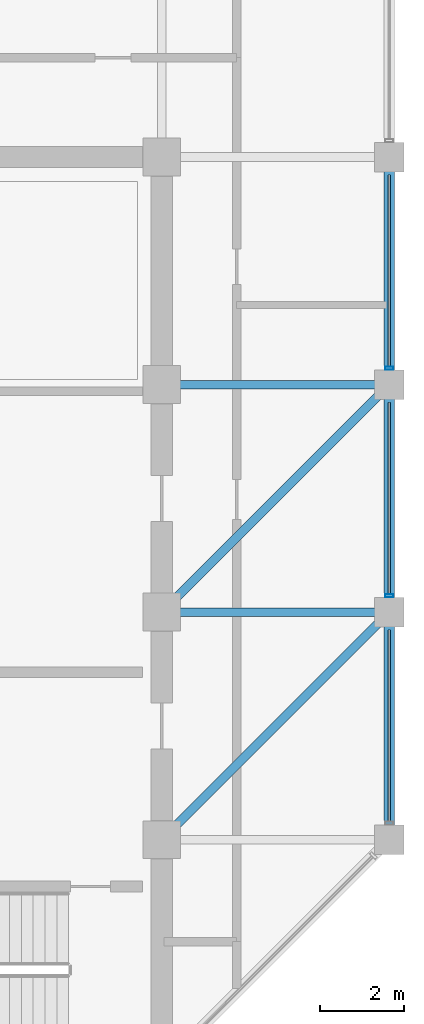
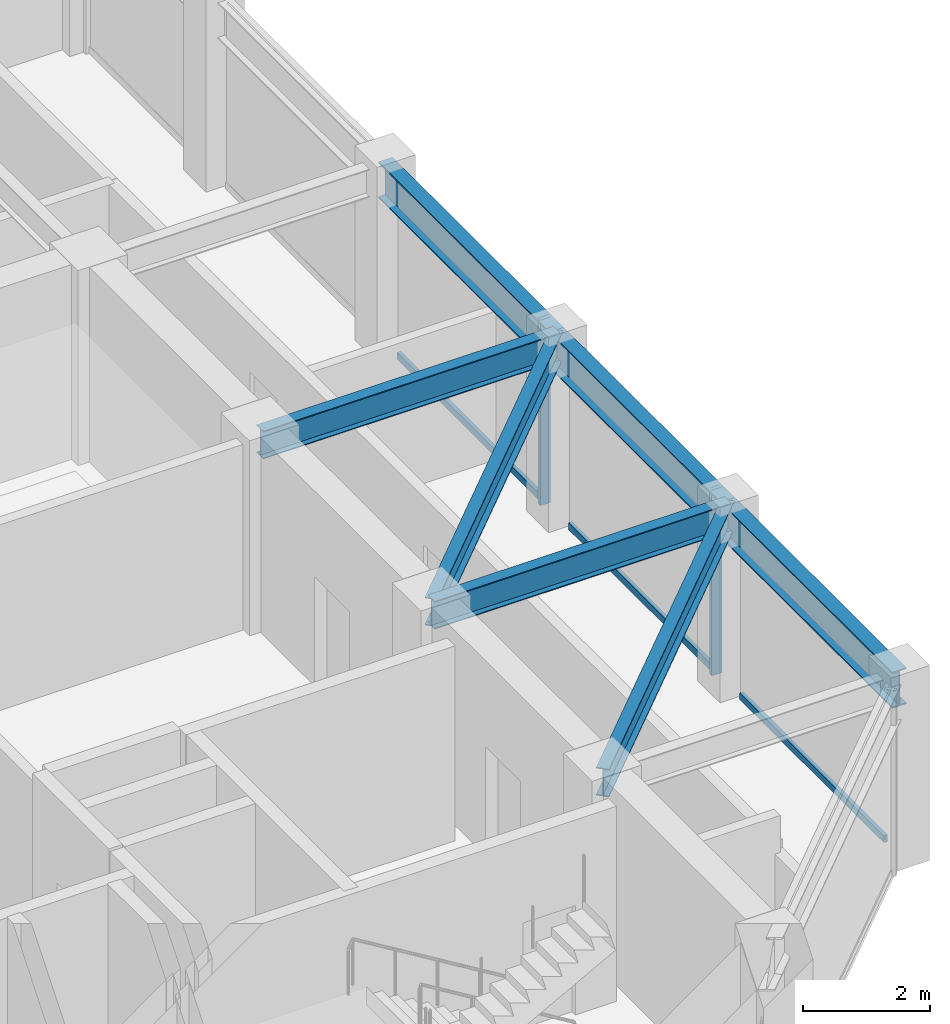
# One storey, part 13 of 30: 7 beams, 5 members, 1 element without a shape of its own.
"""IFC4 building model written with IfcOpenShell, lengths in metres."""

from ifc_helpers import new_model, si_unit, direction, frame, origin, origin_2d, place, context, subcontext, project, spatial, hollow_rectangle, i_section, extrude, material, layer, layer_set, material_profile, profile_set, type_object, element, aggregate, save


model = new_model("IFC4")

# Units and contexts
model_context = context("Model", 3, precision=1e-05, world=origin(), true_north=direction((0.0, 1.0)))
body_context = subcontext(model_context, "Body", "Model", "MODEL_VIEW")
ifc_project = project(units=[si_unit("LENGTHUNIT", "METRE"), si_unit("AREAUNIT", "SQUARE_METRE"), si_unit("VOLUMEUNIT", "CUBIC_METRE"), si_unit("PLANEANGLEUNIT", "RADIAN"), si_unit("MASSUNIT", "GRAM", prefix="KILO")], contexts=[model_context])

# Site, building, storey
site_placement = place(None, origin())
site = spatial("IfcSite", under=ifc_project, at=site_placement, CompositionType="ELEMENT")
building_placement = place(site_placement, origin())
building = spatial("IfcBuilding", under=site, at=building_placement, Name="Surkhivell Harbour Commons", CompositionType="ELEMENT")
storey_placement = place(building_placement, frame((0.0, 0.0, 300.0)))
storey = spatial("IfcBuildingStorey", under=building, at=storey_placement, Name="L78", CompositionType="ELEMENT", Elevation=300.0)

# Beams
ifc_material_1 = material(Name="Steel S355", Category="steel")
ifc_material_profile_1 = material_profile(ifc_material_1, i_section(OverallWidth=0.2099609375, OverallDepth=0.537109375, WebThickness=0.0107421875, FlangeThickness=0.017333984375, at=origin_2d()), Name="UB533x210x101")
ifc_profile_set_1 = profile_set([ifc_material_profile_1], Name="Steel S355")
beam_type_1 = type_object("IfcBeamType", Name="BM-GRD-533B", PredefinedType="BEAM", material=ifc_profile_set_1)
beam_1_placement = place(storey_placement, frame((10.800048828125, -5.39990234375, 3.301513671875), z_axis=(0.707106781187, 0.707106781187, 0.0), x_axis=(-0.707106781187, 0.707106781187, 0.0)))
element("IfcBeam", 1, at=beam_1_placement, inside=storey, type_object=beam_type_1, Name="L78 Floor Girder (10.8,-5.4)", PredefinedType="BEAM", context=body_context, shape_type="SweptSolid", body=[
    extrude(i_section(OverallWidth=0.2099609375, OverallDepth=0.537109375, WebThickness=0.0107421875, FlangeThickness=0.017333984375, at=origin_2d()), origin(), (0.0, 0.0, 1.0), 7.63671875),
])
beam_2_placement = place(storey_placement, frame((10.800048828125, 0.0, 3.301513671875), z_axis=(1.0, 0.0, 0.0), x_axis=(0.0, 1.0, 0.0)))
element("IfcBeam", 2, at=beam_2_placement, inside=storey, type_object=beam_type_1, Name="L78 Floor Girder (10.8,0.0)", PredefinedType="BEAM", context=body_context, shape_type="SweptSolid", body=[
    extrude(i_section(OverallWidth=0.2099609375, OverallDepth=0.537109375, WebThickness=0.0107421875, FlangeThickness=0.017333984375, at=origin_2d()), origin(), (0.0, 0.0, 1.0), 5.39990234375),
])
beam_3_placement = place(storey_placement, frame((10.800048828125, 0.0, 3.301513671875), z_axis=(0.707106781187, 0.707106781187, 0.0), x_axis=(-0.707106781187, 0.707106781187, 0.0)))
element("IfcBeam", 3, at=beam_3_placement, inside=storey, type_object=beam_type_1, Name="L78 Floor Girder (10.8,0.0)", PredefinedType="BEAM", context=body_context, shape_type="SweptSolid", body=[
    extrude(i_section(OverallWidth=0.2099609375, OverallDepth=0.537109375, WebThickness=0.0107421875, FlangeThickness=0.017333984375, at=origin_2d()), origin(), (0.0, 0.0, 1.0), 7.63671875),
])
beam_4_placement = place(storey_placement, frame((10.800048828125, 5.39990234375, 3.301513671875), z_axis=(1.0, 0.0, 0.0), x_axis=(0.0, 1.0, 0.0)))
element("IfcBeam", 4, at=beam_4_placement, inside=storey, type_object=beam_type_1, Name="L78 Floor Girder (10.8,5.4)", PredefinedType="BEAM", context=body_context, shape_type="SweptSolid", body=[
    extrude(i_section(OverallWidth=0.2099609375, OverallDepth=0.537109375, WebThickness=0.0107421875, FlangeThickness=0.017333984375, at=origin_2d()), origin(), (0.0, 0.0, 1.0), 5.39990234375),
])
ifc_material_profile_2 = material_profile(ifc_material_1, i_section(OverallWidth=0.256103515625, OverallDepth=0.693115234375, WebThickness=0.014404296875, FlangeThickness=0.023681640625, at=origin_2d()), Name="UB686x254x170")
ifc_profile_set_2 = profile_set([ifc_material_profile_2], Name="Steel S355")
beam_type_2 = type_object("IfcBeamType", Name="BM-SPN-686", PredefinedType="SPANDREL", material=ifc_profile_set_2)
for number, where, z_axis, x_axis, name in (
    (5, (16.199951171875, -5.39990234375, 3.223388671875), (0.0, 1.0, 0.0), (-1.0, 0.0, 0.0), "L78 Tube Spandrel (16.2,-5.4)"),
    (6, (16.199951171875, 0.0, 3.223388671875), (0.0, 1.0, 0.0), (-1.0, 0.0, 0.0), "L78 Tube Spandrel (16.2,0.0)"),
):
    element("IfcBeam", number, at=place(storey_placement, frame(where, z_axis=z_axis, x_axis=x_axis)), inside=storey, type_object=beam_type_2, Name=name, PredefinedType="SPANDREL", context=body_context, shape_type="SweptSolid", body=[
        extrude(i_section(OverallWidth=0.256103515625, OverallDepth=0.693115234375, WebThickness=0.014404296875, FlangeThickness=0.023681640625, at=origin_2d()), origin(), (0.0, 0.0, 1.0), 5.39990234375),
    ])
beam_5_placement = place(storey_placement, frame((16.199951171875, 5.39990234375, 3.223388671875), z_axis=(0.0, 1.0, 0.0), x_axis=(-1.0, 0.0, 0.0)))
element("IfcBeam", 7, at=beam_5_placement, inside=storey, type_object=beam_type_2, Name="L78 Tube Spandrel (16.2,5.4)", PredefinedType="SPANDREL", context=body_context, shape_type="SweptSolid", body=[
    extrude(i_section(OverallWidth=0.256103515625, OverallDepth=0.693115234375, WebThickness=0.014404296875, FlangeThickness=0.023681640625, at=origin_2d()), origin(), (0.0, 0.0, 1.0), 5.400146484375),
])

# Curtain wall, members
ifc_material_2 = material(Name="Anodised pale-metal aluminium and insulated glazing", Category="aluminium")
ifc_layer = layer(ifc_material_2, 0.175048828125)
ifc_layer_set = layer_set([ifc_layer], Name="Anodised pale-metal aluminium and insulated glazing")
curtain_wall_type = type_object("IfcCurtainWallType", Name="CW-SYS-Z4", PredefinedType="NOTDEFINED", material=ifc_layer_set)
curtain_wall_placement = place(storey_placement, origin())
curtain_wall = element("IfcCurtainWall", 8, at=curtain_wall_placement, inside=storey, type_object=curtain_wall_type, Name="L78 Curtain Wall CW-L78-E02", PredefinedType="NOTDEFINED")
ifc_material_3 = material(Name="Anodised pale-metal aluminium alloy 6063-T6", Category="aluminium")
ifc_material_profile_3 = material_profile(ifc_material_3, hollow_rectangle(XDim=0.074951171875, YDim=0.18994140625, WallThickness=0.00390625, at=origin_2d()), Name="ALU-MULL-75x190")
ifc_profile_set_3 = profile_set([ifc_material_profile_3], Name="Anodised pale-metal aluminium alloy 6063-T6")
member_type_1 = type_object("IfcMemberType", Name="CWM-190", PredefinedType="MULLION", material=ifc_profile_set_3)
member_1_placement = place(storey_placement, frame((16.199951171875, 0.389404296875, 0.0), z_axis=(0.0, 0.0, 1.0), x_axis=(0.0, 1.0, 0.0)))
member_1 = element("IfcMember", 9, at=member_1_placement, type_object=member_type_1, Name="CW-Z4 mullion 2", PredefinedType="MULLION", context=body_context, shape_type="SweptSolid", body=[
    extrude(hollow_rectangle(XDim=0.074951171875, YDim=0.18994140625, WallThickness=0.00390625, at=origin_2d()), origin(), (0.0, 0.0, 1.0), 3.570068359375),
])
member_2_placement = place(storey_placement, frame((16.199951171875, 5.78955078125, 0.0), z_axis=(0.0, 0.0, 1.0), x_axis=(0.0, 1.0, 0.0)))
member_2 = element("IfcMember", 10, at=member_2_placement, type_object=member_type_1, Name="CW-Z4 mullion 3", PredefinedType="MULLION", context=body_context, shape_type="SweptSolid", body=[
    extrude(hollow_rectangle(XDim=0.074951171875, YDim=0.18994140625, WallThickness=0.00390625, at=origin_2d()), origin(), (0.0, 0.0, 1.0), 3.570068359375),
])
ifc_material_4 = material(Name="Champagne anodised aluminium alloy 6063-T6", Category="aluminium")
ifc_material_profile_4 = material_profile(ifc_material_4, hollow_rectangle(XDim=0.070068359375, YDim=0.1298828125, WallThickness=0.00341796875, at=origin_2d()), Name="ALU-TRAN-70x130")
ifc_profile_set_4 = profile_set([ifc_material_profile_4], Name="Champagne anodised aluminium alloy 6063-T6")
member_type_2 = type_object("IfcMemberType", Name="CWT-130", PredefinedType="USERDEFINED", material=ifc_profile_set_4)
member_3_placement = place(storey_placement, frame((16.199951171875, -4.972900390625, 0.06494140625), z_axis=(0.0, 1.0, 0.0), x_axis=(-1.0, 0.0, 0.0)))
member_3 = element("IfcMember", 11, at=member_3_placement, type_object=member_type_2, Name="CW-Z4 transom 1.1", ObjectType="TRANSOM", PredefinedType="USERDEFINED", context=body_context, shape_type="SweptSolid", body=[
    extrude(hollow_rectangle(XDim=0.070068359375, YDim=0.1298828125, WallThickness=0.00341796875, at=origin_2d()), origin(), (0.0, 0.0, 1.0), 4.5458984375),
])
member_4_placement = place(storey_placement, frame((16.199951171875, 0.427001953125, 0.06494140625), z_axis=(0.0, 1.0, 0.0), x_axis=(-1.0, 0.0, 0.0)))
member_4 = element("IfcMember", 12, at=member_4_placement, type_object=member_type_2, Name="CW-Z4 transom 2.1", ObjectType="TRANSOM", PredefinedType="USERDEFINED", context=body_context, shape_type="SweptSolid", body=[
    extrude(hollow_rectangle(XDim=0.070068359375, YDim=0.1298828125, WallThickness=0.00341796875, at=origin_2d()), origin(), (0.0, 0.0, 1.0), 4.5458984375),
])
member_5_placement = place(storey_placement, frame((16.199951171875, 5.826904296875, 0.06494140625), z_axis=(0.0, 1.0, 0.0), x_axis=(-1.0, 0.0, 0.0)))
member_5 = element("IfcMember", 13, at=member_5_placement, type_object=member_type_2, Name="CW-Z4 transom 3.1", ObjectType="TRANSOM", PredefinedType="USERDEFINED", context=body_context, shape_type="SweptSolid", body=[
    extrude(hollow_rectangle(XDim=0.070068359375, YDim=0.1298828125, WallThickness=0.00341796875, at=origin_2d()), origin(), (0.0, 0.0, 1.0), 4.546142578125),
])
aggregate(curtain_wall, [member_3, member_1, member_4, member_2, member_5])

save(model, "model.ifc")
